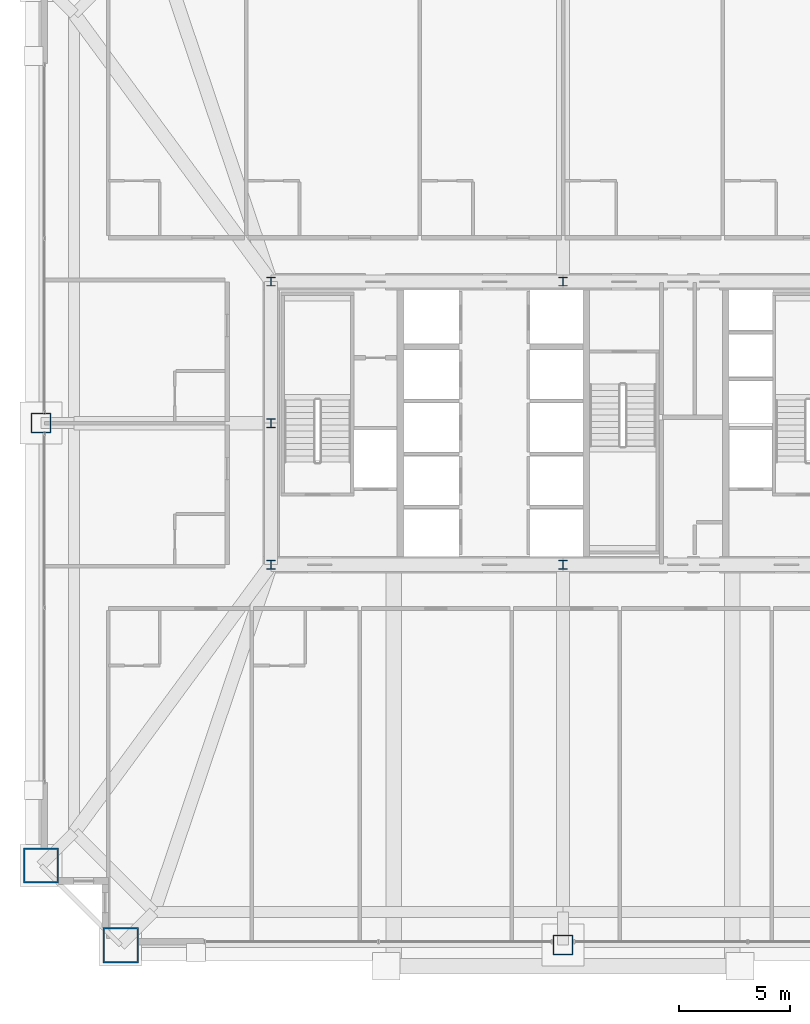
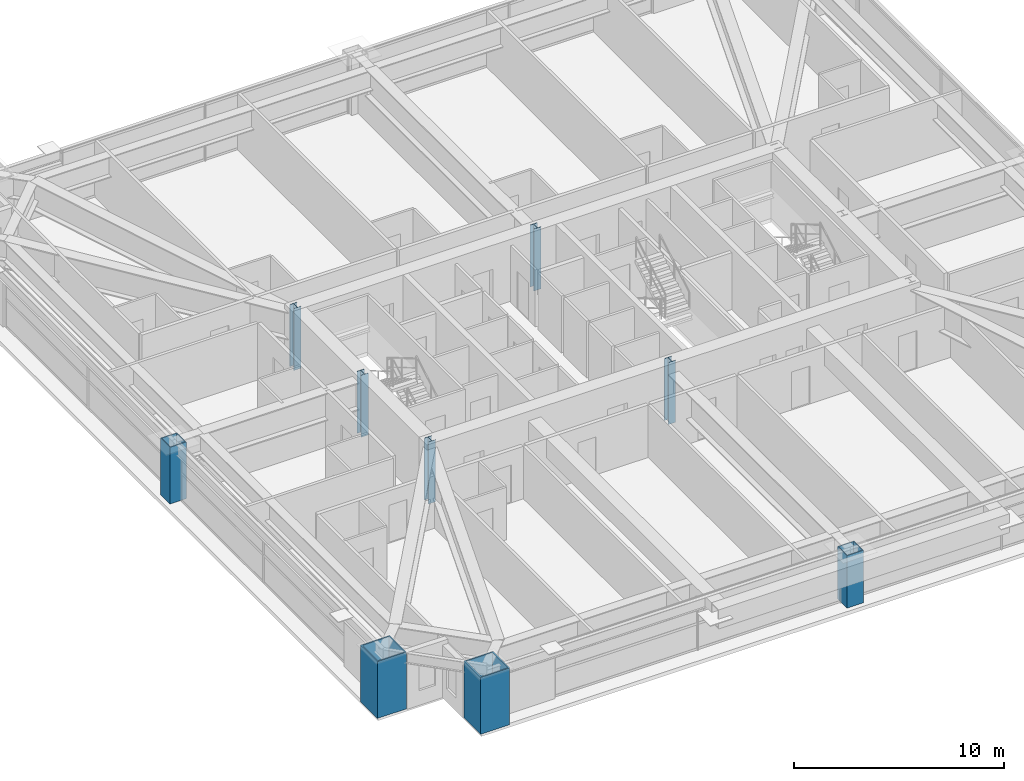
# One storey, part 1 of 45: 9 columns.
"""IFC4 building model written with IfcOpenShell, lengths in metres."""

import ifcopenshell
import ifcopenshell.guid

model = None  # the IFC model being written
_history = None  # IfcOwnerHistory: only IFC2X3 demands one
_inside = {}  # id of a spatial element -> (the spatial element, [elements in it])
_under = {}  # id of a project, library or spatial element -> (it, [spatial elements below it])
_declared = {}  # id of a project -> (the project, [libraries it declares])
_typed = {}  # id of a type object -> (the type object, [elements of that type])
_made_of = {}  # id of a material, layer set ... -> (it, [elements and type objects made of it])


def new_model(schema):
    """Start an empty IFC model of exactly this schema.

    Asked for "IFC4X3", IfcOpenShell would pick the latest addendum, in which some entities
    have other attributes; the version numbers below select the first issue.
    IFC2X3 requires an IfcOwnerHistory on every rooted entity: one is made here for all.
    """
    global model, _history
    if schema == "IFC4X3":
        model = ifcopenshell.file(schema_version=(4, 3, 0, 0))
    else:
        model = ifcopenshell.file(schema=schema)
    _inside.clear()
    _under.clear()
    _declared.clear()
    _typed.clear()
    _made_of.clear()
    _history = None
    if model.schema == "IFC2X3":
        org = make("IfcOrganization", Name="unknown")
        user = make(
            "IfcPersonAndOrganization",
            ThePerson=make("IfcPerson", FamilyName="unknown"),
            TheOrganization=org,
        )
        app = make(
            "IfcApplication",
            ApplicationDeveloper=org,
            Version="unknown",
            ApplicationFullName="unknown",
            ApplicationIdentifier="unknown",
        )
        _history = make(
            "IfcOwnerHistory",
            OwningUser=user,
            OwningApplication=app,
            ChangeAction="ADDED",
            CreationDate=0,
        )
    return model


def make(cls, **values):
    """One entity of the class cls with the attributes given. An attribute that is None is left unset."""
    return model.create_entity(
        cls, **{name: value for name, value in values.items() if value is not None}
    )


def rooted(cls, **values):
    """An entity with a GlobalId (a new one), such as an element, a storey or a relation."""
    return make(cls, GlobalId=ifcopenshell.guid.new(), OwnerHistory=_history, **values)


def si_unit(unit_type, name, prefix=None):
    """IfcSIUnit, for example si_unit("LENGTHUNIT", "METRE", prefix="MILLI")."""
    return make("IfcSIUnit", UnitType=unit_type, Prefix=prefix, Name=name)


def assignment(units):
    """IfcUnitAssignment: the units of a project."""
    return None if units is None else make("IfcUnitAssignment", Units=units)


def point(xyz):
    """IfcCartesianPoint."""
    return None if xyz is None else make("IfcCartesianPoint", Coordinates=xyz)


def direction(xyz):
    """IfcDirection."""
    return None if xyz is None else make("IfcDirection", DirectionRatios=xyz)


def frame(location, z_axis=None, x_axis=None):
    """IfcAxis2Placement3D, a coordinate frame: its origin and axes. An axis left out is left unset."""
    return make(
        "IfcAxis2Placement3D",
        Location=point(location),
        Axis=direction(z_axis),
        RefDirection=direction(x_axis),
    )


def frame_2d(location, x_axis=None):
    """IfcAxis2Placement2D, a coordinate frame in the plane: its origin and x axis."""
    return make(
        "IfcAxis2Placement2D", Location=point(location), RefDirection=direction(x_axis)
    )


def origin():
    """The frame at (0, 0, 0) with its axes left unset."""
    return frame((0.0, 0.0, 0.0))


def origin_2d():
    """The frame at (0, 0) in the plane with its x axis left unset."""
    return frame_2d((0.0, 0.0))


def place(relative_to, where):
    """IfcLocalPlacement: puts the frame where relative to a parent placement (None: the world)."""
    return make(
        "IfcLocalPlacement", PlacementRelTo=relative_to, RelativePlacement=where
    )


def context(
    kind, dimensions, precision=None, world=None, true_north=None, identifier=None
):
    """IfcGeometricRepresentationContext, for example the 3D "Model" context."""
    return make(
        "IfcGeometricRepresentationContext",
        ContextIdentifier=identifier,
        ContextType=kind,
        CoordinateSpaceDimension=dimensions,
        Precision=precision,
        WorldCoordinateSystem=world,
        TrueNorth=true_north,
    )


def subcontext(parent, identifier, kind, view, scale=None):
    """IfcGeometricRepresentationSubContext, for example "Body" below "Model"."""
    return make(
        "IfcGeometricRepresentationSubContext",
        ContextIdentifier=identifier,
        ContextType=kind,
        ParentContext=parent,
        TargetScale=scale,
        TargetView=view,
    )


def project(units=None, contexts=None):
    """IfcProject with its units and contexts."""
    return rooted(
        "IfcProject",
        Name="project",
        RepresentationContexts=contexts,
        UnitsInContext=assignment(units),
    )


def spatial(cls, under=None, at=None, **own):
    """A site, building, storey or space (cls), placed at a placement, below another one or the project."""
    s = rooted(cls, ObjectPlacement=at, **own)
    if under is not None:
        _under.setdefault(under.id(), (under, []))[1].append(s)
    return s


def profile(cls, at=None, kind="AREA", **sizes):
    """A parametric profile (cls). Its sizes go by their IFC names, for example OverallWidth=200.0."""
    return make(cls, ProfileType=kind, Position=at, **sizes)


def hollow_rectangle(**sizes):
    """IfcRectangleHollowProfileDef."""
    return profile("IfcRectangleHollowProfileDef", **sizes)


def i_section(**sizes):
    """IfcIShapeProfileDef."""
    return profile("IfcIShapeProfileDef", **sizes)


def extrude(swept, where, along, depth):
    """IfcExtrudedAreaSolid: the profile swept, set in the frame where, extruded along a direction by depth."""
    return make(
        "IfcExtrudedAreaSolid",
        SweptArea=swept,
        Position=where,
        ExtrudedDirection=direction(along),
        Depth=depth,
    )


def shape(context_of_items, identifier, shape_type, items):
    """IfcShapeRepresentation: the items that make up one representation, for example the "Body"."""
    return make(
        "IfcShapeRepresentation",
        ContextOfItems=context_of_items,
        RepresentationIdentifier=identifier,
        RepresentationType=shape_type,
        Items=items,
    )


def source(mapping_origin, context_of_items, identifier, shape_type, items):
    """IfcRepresentationMap: a shape defined once, which mapped items show again and again."""
    return make(
        "IfcRepresentationMap",
        MappingOrigin=mapping_origin,
        MappedRepresentation=shape(context_of_items, identifier, shape_type, items),
    )


def transform(
    local_origin,
    x_axis=None,
    y_axis=None,
    z_axis=None,
    scale=None,
    scale2=None,
    scale3=None,
    uniform=True,
):
    """IfcCartesianTransformationOperator3D, or its non-uniform kind. x_axis, y_axis, z_axis: its Axis1, 2, 3."""
    if uniform:
        return make(
            "IfcCartesianTransformationOperator3D",
            Axis1=direction(x_axis),
            Axis2=direction(y_axis),
            LocalOrigin=point(local_origin),
            Scale=scale,
            Axis3=direction(z_axis),
        )
    return make(
        "IfcCartesianTransformationOperator3DnonUniform",
        Axis1=direction(x_axis),
        Axis2=direction(y_axis),
        LocalOrigin=point(local_origin),
        Scale=scale,
        Axis3=direction(z_axis),
        Scale2=scale2,
        Scale3=scale3,
    )


def mapped(mapping_source, mapping_target):
    """IfcMappedItem: shows the shape of a source again, moved by a transform."""
    return make(
        "IfcMappedItem", MappingSource=mapping_source, MappingTarget=mapping_target
    )


def material(Name=None, Category=None):
    """IfcMaterial."""
    return make("IfcMaterial", Name=Name, Category=Category)


def material_profile(
    of_material, cross_section, Name=None, Category=None, Priority=None
):
    """IfcMaterialProfile: a cross section and its material."""
    return make(
        "IfcMaterialProfile",
        Name=Name,
        Material=of_material,
        Profile=cross_section,
        Priority=Priority,
        Category=Category,
    )


def profile_set(profiles, Name=None, composite=None):
    """IfcMaterialProfileSet."""
    return make(
        "IfcMaterialProfileSet",
        Name=Name,
        MaterialProfiles=profiles,
        CompositeProfile=composite,
    )


def made_of(thing, what):
    """Note that an element or type object is made of a material, layer set ...; save() writes the relation."""
    if what is not None:
        _made_of.setdefault(what.id(), (what, []))[1].append(thing)
    return thing


def type_object(cls, material=None, **own):
    """A type object (cls), such as IfcWallType, which elements share."""
    return made_of(rooted(cls, **own), material)


def element(
    cls,
    number,
    at=None,
    inside=None,
    cuts=None,
    type_object=None,
    material=None,
    context=None,
    identifier="Body",
    shape_type=None,
    held_by="IfcProductDefinitionShape",
    body=None,
    shapes=None,
    **own,
):
    """One element of the class cls, such as IfcWall. Its Tag is "e" and its number.

    at: its placement. inside: the storey or other place that contains it. cuts: it is an
    opening in that element (IfcRelVoidsElement). A single representation is given by context,
    identifier, shape_type and body (its items); several are given by shapes. held_by: the class
    of the entity that holds the representations. save() writes the other relations.
    """
    e = rooted(cls, Tag="e%d" % number, ObjectPlacement=at, **own)
    if body is not None:
        shapes = [shape(context, identifier, shape_type, body)]
    if shapes is not None:
        e.Representation = make(held_by, Representations=shapes)
    if inside is not None:
        _inside.setdefault(inside.id(), (inside, []))[1].append(e)
    if cuts is not None:
        rooted(
            "IfcRelVoidsElement", RelatingBuildingElement=cuts, RelatedOpeningElement=e
        )
    if type_object is not None:
        _typed.setdefault(type_object.id(), (type_object, []))[1].append(e)
    return made_of(e, material)


def aggregate(whole, parts):
    """IfcRelAggregates: a whole, such as a stair, and the parts it consists of."""
    return rooted("IfcRelAggregates", RelatingObject=whole, RelatedObjects=parts)


def save(model, path):
    """Write the relations noted so far, then the file.

    IfcRelAggregates (storeys below a building ...), IfcRelContainedInSpatialStructure (elements
    in a storey), IfcRelDefinesByType, IfcRelAssociatesMaterial and IfcRelDeclares: one each for
    every whole, place, type object, material and project.
    """
    for whole, parts in _under.values():
        aggregate(whole, parts)
    for where, things in _inside.values():
        rooted(
            "IfcRelContainedInSpatialStructure",
            RelatedElements=things,
            RelatingStructure=where,
        )
    for kind, things in _typed.values():
        rooted("IfcRelDefinesByType", RelatedObjects=things, RelatingType=kind)
    for what, things in _made_of.values():
        rooted("IfcRelAssociatesMaterial", RelatedObjects=things, RelatingMaterial=what)
    for by, libraries in _declared.values():
        rooted("IfcRelDeclares", RelatingContext=by, RelatedDefinitions=libraries)
    model.write(path)


model = new_model("IFC4")

# Units and contexts
model_context = context("Model", 3, precision=1e-05, world=origin(), true_north=direction((0.0, 1.0)))
body_context = subcontext(model_context, "Body", "Model", "MODEL_VIEW")
ifc_project = project(units=[si_unit("LENGTHUNIT", "METRE"), si_unit("AREAUNIT", "SQUARE_METRE"), si_unit("VOLUMEUNIT", "CUBIC_METRE"), si_unit("PLANEANGLEUNIT", "RADIAN"), si_unit("MASSUNIT", "GRAM", prefix="KILO"), si_unit("THERMODYNAMICTEMPERATUREUNIT", "KELVIN"), si_unit("POWERUNIT", "WATT")], contexts=[model_context])

# Site, building, storey
site_placement = place(None, origin())
site = spatial("IfcSite", under=ifc_project, at=site_placement, CompositionType="ELEMENT")
building_placement = place(site_placement, origin())
building = spatial("IfcBuilding", under=site, at=building_placement, Name="Yuzanri Waterfront Tower", CompositionType="ELEMENT")
storey_placement = place(building_placement, frame((0.0, 0.0, 163.199951171875)))
storey = spatial("IfcBuildingStorey", under=building, at=storey_placement, Name="L43", CompositionType="ELEMENT", Elevation=163.199951171875)

# Columns
ifc_material_1 = material(Name="Steel Q355B", Category="steel")
ifc_material_profile_1 = material_profile(ifc_material_1, i_section(OverallWidth=0.39990234375, OverallDepth=0.39990234375, WebThickness=0.012939453125, FlangeThickness=0.02099609375, at=origin_2d()), Name="HW 400x400x13x21")
ifc_profile_set_1 = profile_set([ifc_material_profile_1], Name="Steel Q355B")
column_type_1 = type_object("IfcColumnType", Name="Core Post Q355B HW 400x400x13x21", PredefinedType="COLUMN", material=ifc_profile_set_1)
shared_shape_1 = source(origin(), body_context, "Body", "SweptSolid", [
    extrude(i_section(OverallWidth=0.39990234375, OverallDepth=0.39990234375, WebThickness=0.012939453125, FlangeThickness=0.02099609375, at=origin_2d()), origin(), (0.0, 0.0, 1.0), 3.60009765625),
])
for number, where, z_axis, x_axis, name in (
    (1, (23.800048828125, 19.39990234375, 0.0), (0.0, 0.0, 1.0), (1.0, 0.0, 0.0), "L43 Core Boundary Column CP1"),
    (2, (37.0, 19.39990234375, 0.0), (0.0, 0.0, 1.0), (1.0, 0.0, 0.0), "L43 Core Boundary Column CP2"),
    (3, (23.800048828125, 25.800048828125, 0.0), (0.0, 0.0, 1.0), (1.0, 0.0, 0.0), "L43 Core Boundary Column CP4"),
    (4, (23.800048828125, 32.199951171875, 0.0), (0.0, 0.0, 1.0), (1.0, 0.0, 0.0), "L43 Core Boundary Column CP6"),
    (5, (37.0, 32.199951171875, 0.0), (0.0, 0.0, 1.0), (1.0, 0.0, 0.0), "L43 Core Boundary Column CP7"),
):
    element("IfcColumn", number, at=place(storey_placement, frame(where, z_axis=z_axis, x_axis=x_axis)), inside=storey, type_object=column_type_1, Name=name, PredefinedType="COLUMN", context=body_context, shape_type="MappedRepresentation", body=[
        mapped(shared_shape_1, transform((0.0, 0.0, 0.0), scale=1.0)),
    ])
ifc_material_2 = material(Name="Steel Q420GJC", Category="steel")
ifc_material_profile_2 = material_profile(ifc_material_2, hollow_rectangle(XDim=1.60009765625, YDim=1.60009765625, WallThickness=0.070068359375, at=origin_2d()), Name="RHS 1600x1600x70")
ifc_profile_set_2 = profile_set([ifc_material_profile_2], Name="Steel Q420GJC")
column_type_2 = type_object("IfcColumnType", Name="Mega Column Q420GJC RHS 1600x1600x70", PredefinedType="COLUMN", material=ifc_profile_set_2)
shared_shape_2 = source(origin(), body_context, "Body", "SweptSolid", [
    extrude(hollow_rectangle(XDim=1.60009765625, YDim=1.60009765625, WallThickness=0.070068359375, at=origin_2d()), origin(), (0.0, 0.0, 1.0), 3.300048828125),
])
for number, where, z_axis, x_axis, name in (
    (6, (17.0, 2.199951171875, 0.0), (0.0, 0.0, 1.0), (1.0, 0.0, 0.0), "L43 Perimeter Mega Column S1"),
    (7, (13.39990234375, 5.800048828125, 0.0), (0.0, 0.0, 1.0), (1.0, 0.0, 0.0), "L43 Perimeter Mega Column W1"),
):
    element("IfcColumn", number, at=place(storey_placement, frame(where, z_axis=z_axis, x_axis=x_axis)), inside=storey, type_object=column_type_2, Name=name, PredefinedType="COLUMN", context=body_context, shape_type="MappedRepresentation", body=[
        mapped(shared_shape_2, transform((0.0, 0.0, 0.0), scale=1.0)),
    ])
ifc_material_3 = material(Name="Steel Q390GJC", Category="steel")
ifc_material_profile_3 = material_profile(ifc_material_3, hollow_rectangle(XDim=0.89990234375, YDim=0.89990234375, WallThickness=0.0419921875, at=origin_2d()), Name="RHS 900x900x42")
ifc_profile_set_3 = profile_set([ifc_material_profile_3], Name="Steel Q390GJC")
column_type_3 = type_object("IfcColumnType", Name="Frame Column Q390GJC RHS 900x900x42", PredefinedType="COLUMN", material=ifc_profile_set_3)
shared_shape_3 = source(origin(), body_context, "Body", "SweptSolid", [
    extrude(hollow_rectangle(XDim=0.89990234375, YDim=0.89990234375, WallThickness=0.0419921875, at=origin_2d()), origin(), (0.0, 0.0, 1.0), 3.050048828125),
])
column_1_placement = place(storey_placement, frame((37.0, 2.199951171875, 0.0), z_axis=(0.0, 0.0, 1.0), x_axis=(1.0, 0.0, 0.0)))
element("IfcColumn", 8, at=column_1_placement, inside=storey, type_object=column_type_3, Name="L43 Perimeter Frame Column S2", PredefinedType="COLUMN", context=body_context, shape_type="MappedRepresentation", body=[
    mapped(shared_shape_3, transform((0.0, 0.0, 0.0), scale=1.0)),
])
shared_shape_4 = source(origin(), body_context, "Body", "SweptSolid", [
    extrude(hollow_rectangle(XDim=0.89990234375, YDim=0.89990234375, WallThickness=0.0419921875, at=origin_2d()), origin(), (0.0, 0.0, 1.0), 3.300048828125),
])
column_2_placement = place(storey_placement, frame((13.39990234375, 25.800048828125, 0.0), z_axis=(0.0, 0.0, 1.0), x_axis=(1.0, 0.0, 0.0)))
element("IfcColumn", 9, at=column_2_placement, inside=storey, type_object=column_type_3, Name="L43 Perimeter Frame Column W2", PredefinedType="COLUMN", context=body_context, shape_type="MappedRepresentation", body=[
    mapped(shared_shape_4, transform((0.0, 0.0, 0.0), scale=1.0)),
])

save(model, "model.ifc")
